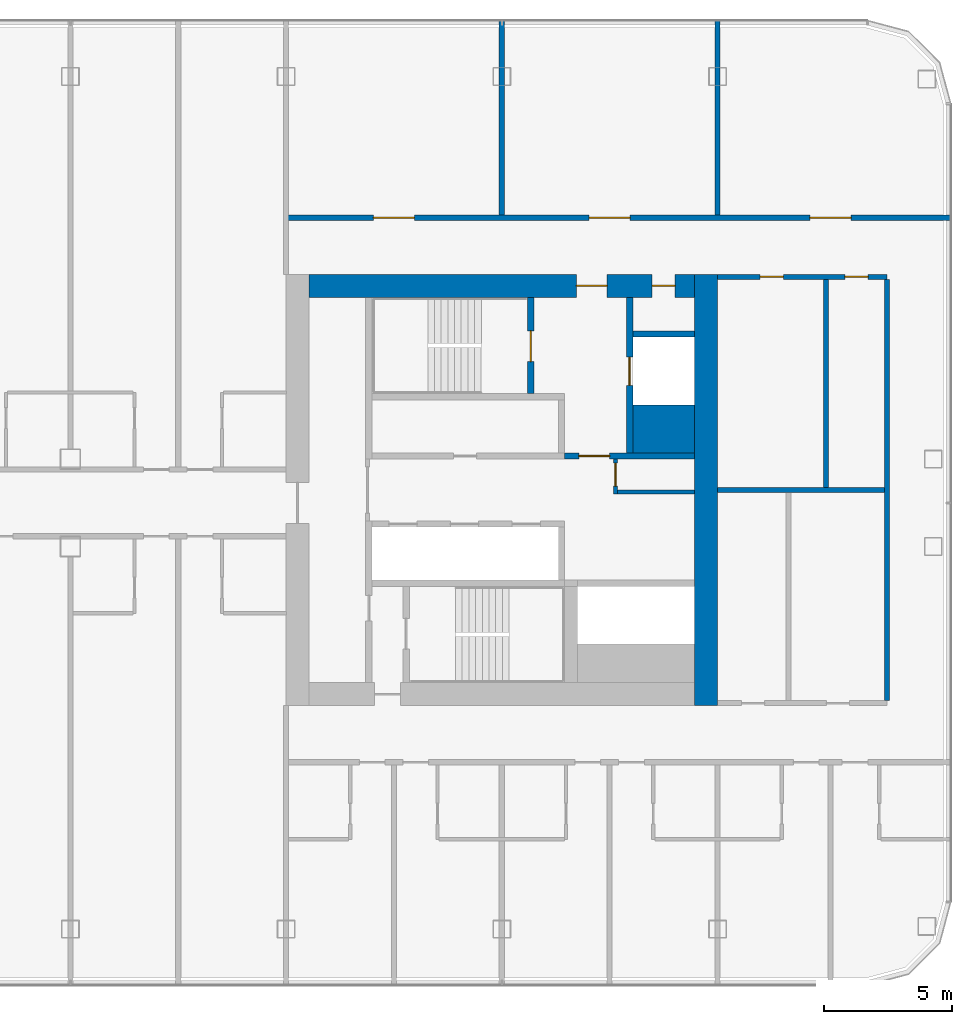
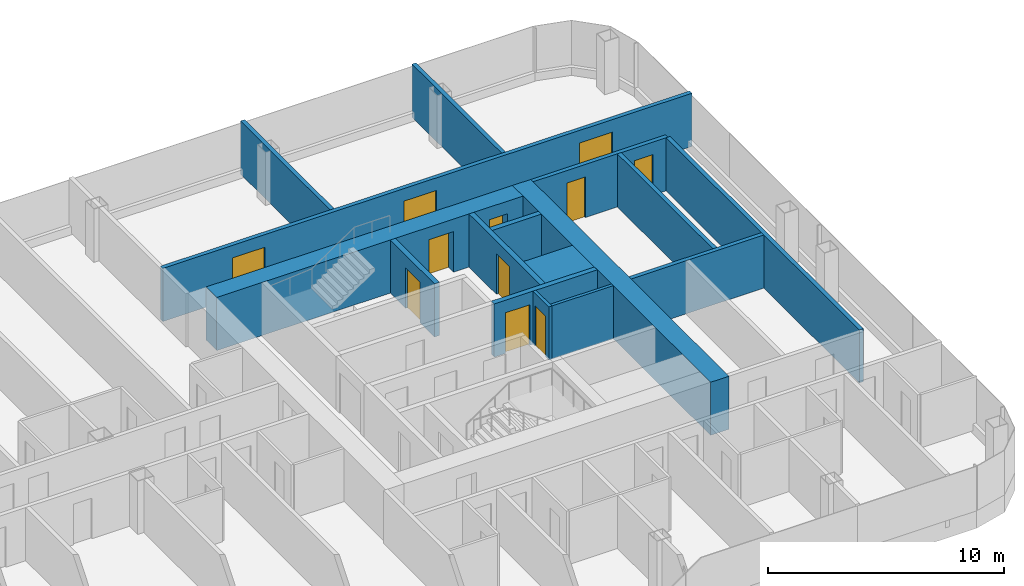
# One storey, part 18 of 27: 16 walls, 11 doors, 11 openings.
"""IFC4 building model written with IfcOpenShell, lengths in metres."""

from ifc_helpers import new_model, si_unit, direction, frame, frame_2d, origin, place, context, subcontext, project, spatial, rectangle, extrude, material, layer, layer_set, type_object, element, fill, save


model = new_model("IFC4")

# Units and contexts
model_context = context("Model", 3, precision=1e-05, world=origin(), true_north=direction((0.0, 1.0)))
body_context = subcontext(model_context, "Body", "Model", "MODEL_VIEW")
ifc_project = project(units=[si_unit("LENGTHUNIT", "METRE"), si_unit("AREAUNIT", "SQUARE_METRE"), si_unit("VOLUMEUNIT", "CUBIC_METRE"), si_unit("PLANEANGLEUNIT", "RADIAN"), si_unit("MASSUNIT", "GRAM", prefix="KILO")], contexts=[model_context])

# Site, building, storey
site_placement = place(None, origin())
site = spatial("IfcSite", under=ifc_project, at=site_placement, CompositionType="ELEMENT")
building_placement = place(site_placement, origin())
building = spatial("IfcBuilding", under=site, at=building_placement, Name="Hakoniwa Tower and Hamabe Station Hall", CompositionType="ELEMENT")
storey_placement = place(building_placement, frame((0.0, 0.0, 166.199951171875)))
storey = spatial("IfcBuildingStorey", under=building, at=storey_placement, Name="L47", CompositionType="ELEMENT", Elevation=166.199951171875)

# Wall, opening, door
ifc_material_1 = material(Name="Gypsum board partition")
ifc_layer_1 = layer(ifc_material_1, 0.14990234375)
ifc_layer_set_1 = layer_set([ifc_layer_1], Name="CORE PARTITION 150 EI 60")
wall_type_1 = type_object("IfcWallType", Name="CORE PARTITION 150 EI 60", PredefinedType="PARTITIONING", material=ifc_layer_set_1)
wall_1_placement = place(storey_placement, frame((29.625, -0.14990234375, 0.0), z_axis=(0.0, 0.0, 1.0), x_axis=(0.0, 1.0, 0.0)))
wall_1 = element("IfcWall", 1, at=wall_1_placement, inside=storey, type_object=wall_type_1, Name="Core partition PW0 east", PredefinedType="PARTITIONING", context=body_context, shape_type="SweptSolid", body=[
    extrude(rectangle(XDim=1.349853515625, YDim=0.14990234375, at=frame_2d((0.6748046875, 0.0))), origin(), (0.0, 0.0, 1.0), 2.75),
])
opening_1_placement = place(wall_1_placement, frame((0.300048828125, 0.0, 0.0)))
opening_1 = element("IfcOpeningElement", 2, at=opening_1_placement, cuts=wall_1, Name="Opening CD-E-RM1-9", PredefinedType="OPENING", context=body_context, shape_type="SweptSolid", body=[
    extrude(rectangle(XDim=0.89990234375, YDim=2.10009765625, at=frame_2d((0.449951171875, 1.050048828125))), frame((0.0, 0.0849609375, 0.0), z_axis=(0.0, -1.0, 0.0), x_axis=(1.0, 0.0, 0.0)), (0.0, 0.0, 1.0), 0.169921875),
])
ifc_material_2 = material(Name="Steel fire door", Category="steel")
door_type_1 = type_object("IfcDoorType", Name="CORE DOOR 900 FD30", OperationType="NOTDEFINED", PredefinedType="DOOR", material=ifc_material_2)
door_1_placement = place(opening_1_placement, origin())
door_1 = element("IfcDoor", 3, at=door_1_placement, inside=storey, type_object=door_type_1, Name="Store room door", OperationType="SINGLE_SWING_RIGHT", OverallHeight=2.10009765625, OverallWidth=0.89990234375, PredefinedType="DOOR", context=body_context, shape_type="SweptSolid", body=[
    extrude(rectangle(XDim=0.89990234375, YDim=2.10009765625, at=frame_2d((0.449951171875, 1.050048828125))), frame((0.0, 0.02490234375, 0.0), z_axis=(0.0, -1.0, 0.0), x_axis=(1.0, 0.0, 0.0)), (0.0, 0.0, 1.0), 0.050048828125),
])
fill(opening_1, door_1)

# Walls
wall_2_placement = place(storey_placement, frame((29.699951171875, -0.074951171875, 0.0), z_axis=(0.0, 0.0, 1.0), x_axis=(1.0, 0.0, 0.0)))
element("IfcWall", 4, at=wall_2_placement, inside=storey, type_object=wall_type_1, Name="Core partition PS east", PredefinedType="PARTITIONING", context=body_context, shape_type="SweptSolid", body=[
    extrude(rectangle(XDim=3.0, YDim=0.14990234375, at=frame_2d((1.5, 0.0))), origin(), (0.0, 0.0, 1.0), 2.75),
])
ifc_material_3 = material(Name="Concrete C66", Category="concrete")
ifc_layer_2 = layer(ifc_material_3, 0.89990234375)
ifc_layer_set_2 = layer_set([ifc_layer_2], Name="CORE WALL 900 C66")
wall_type_2 = type_object("IfcWallType", Name="CORE WALL 900 C66", PredefinedType="SHEAR", material=ifc_layer_set_2)
wall_3_placement = place(storey_placement, frame((33.14990234375, -8.39990234375, 0.0), z_axis=(0.0, 0.0, 1.0), x_axis=(0.0, 1.0, 0.0)))
element("IfcWall", 5, at=wall_3_placement, inside=storey, type_object=wall_type_2, Name="Core wall OUTER east", PredefinedType="SHEAR", context=body_context, shape_type="SweptSolid", body=[
    extrude(rectangle(XDim=16.7998046875, YDim=0.89990234375, at=frame_2d((8.39990234375, 0.0))), origin(), (0.0, 0.0, 1.0), 2.75),
])

# Wall, openings, doors
wall_4_placement = place(storey_placement, frame((17.699951171875, 7.949951171875, 0.0), z_axis=(0.0, 0.0, 1.0), x_axis=(1.0, 0.0, 0.0)))
wall_4 = element("IfcWall", 6, at=wall_4_placement, inside=storey, type_object=wall_type_2, Name="Core wall NORTH east", PredefinedType="SHEAR", context=body_context, shape_type="SweptSolid", body=[
    extrude(rectangle(XDim=15.0, YDim=0.89990234375, at=frame_2d((7.5, 0.0))), origin(), (0.0, 0.0, 1.0), 2.75),
])
opening_2_placement = place(wall_4_placement, frame((10.39990234375, 0.0, 0.0)))
opening_2 = element("IfcOpeningElement", 7, at=opening_2_placement, cuts=wall_4, Name="Opening CD-E-FN1-12", PredefinedType="OPENING", context=body_context, shape_type="SweptSolid", body=[
    extrude(rectangle(XDim=1.199951171875, YDim=2.10009765625, at=frame_2d((0.60009765625, 1.050048828125))), frame((0.0, 0.4599609375, 0.0), z_axis=(0.0, -1.0, 0.0), x_axis=(1.0, 0.0, 0.0)), (0.0, 0.0, 1.0), 0.919921875),
])
opening_3_placement = place(wall_4_placement, frame((13.35009765625, 0.0, 0.0)))
opening_3 = element("IfcOpeningElement", 8, at=opening_3_placement, cuts=wall_4, Name="Opening CD-E-FN2-9", PredefinedType="OPENING", context=body_context, shape_type="SweptSolid", body=[
    extrude(rectangle(XDim=0.89990234375, YDim=2.10009765625, at=frame_2d((0.449951171875, 1.050048828125))), frame((0.0, 0.4599609375, 0.0), z_axis=(0.0, -1.0, 0.0), x_axis=(1.0, 0.0, 0.0)), (0.0, 0.0, 1.0), 0.919921875),
])
ifc_material_4 = material(Name="Steel fire door", Category="steel")
door_type_2 = type_object("IfcDoorType", Name="CORE DOOR 1200 FD60", OperationType="DOUBLE_DOOR_SINGLE_SWING", PredefinedType="DOOR", material=ifc_material_4)
door_2_placement = place(opening_2_placement, origin())
door_2 = element("IfcDoor", 9, at=door_2_placement, inside=storey, type_object=door_type_2, Name="Stair vestibule door to the fire-fighting lobby", OperationType="DOUBLE_DOOR_SINGLE_SWING", OverallHeight=2.10009765625, OverallWidth=1.199951171875, PredefinedType="DOOR", context=body_context, shape_type="SweptSolid", body=[
    extrude(rectangle(XDim=1.199951171875, YDim=2.10009765625, at=frame_2d((0.60009765625, 1.050048828125))), frame((0.0, 0.02490234375, 0.0), z_axis=(0.0, -1.0, 0.0), x_axis=(1.0, 0.0, 0.0)), (0.0, 0.0, 1.0), 0.050048828125),
])
fill(opening_2, door_2)
door_3_placement = place(opening_3_placement, origin())
door_3 = element("IfcDoor", 10, at=door_3_placement, inside=storey, type_object=door_type_1, Name="Riser access door", OperationType="SINGLE_SWING_LEFT", OverallHeight=2.10009765625, OverallWidth=0.89990234375, PredefinedType="DOOR", context=body_context, shape_type="SweptSolid", body=[
    extrude(rectangle(XDim=0.89990234375, YDim=2.10009765625, at=frame_2d((0.449951171875, 1.050048828125))), frame((0.0, 0.02490234375, 0.0), z_axis=(0.0, -1.0, 0.0), x_axis=(1.0, 0.0, 0.0)), (0.0, 0.0, 1.0), 0.050048828125),
])
fill(opening_3, door_3)

# Wall
ifc_material_5 = material(Name="Concrete C66", Category="concrete")
ifc_layer_3 = layer(ifc_material_5, 1.85009765625)
ifc_layer_set_3 = layer_set([ifc_layer_3], Name="CORE WEB WALL 1850 C66")
wall_type_3 = type_object("IfcWallType", Name="CORE WEB WALL 1850 C66", PredefinedType="SHEAR", material=ifc_layer_set_3)
wall_5_placement = place(storey_placement, frame((30.300048828125, 2.375, 0.0), z_axis=(0.0, 0.0, 1.0), x_axis=(1.0, 0.0, 0.0)))
element("IfcWall", 11, at=wall_5_placement, inside=storey, type_object=wall_type_3, Name="Core wall CA east", PredefinedType="SHEAR", context=body_context, shape_type="SweptSolid", body=[
    extrude(rectangle(XDim=2.39990234375, YDim=1.85009765625, at=frame_2d((1.199951171875, 0.0))), origin(), (0.0, 0.0, 1.0), 2.75),
])

# Wall, opening, door
ifc_material_6 = material(Name="Concrete C66", Category="concrete")
ifc_layer_4 = layer(ifc_material_6, 0.25)
ifc_layer_set_4 = layer_set([ifc_layer_4], Name="CORE WEB WALL 250 C66")
wall_type_4 = type_object("IfcWallType", Name="CORE WEB WALL 250 C66", PredefinedType="SHEAR", material=ifc_layer_set_4)
wall_6_placement = place(storey_placement, frame((26.324951171875, 3.75, 0.0), z_axis=(0.0, 0.0, 1.0), x_axis=(0.0, 1.0, 0.0)))
wall_6 = element("IfcWall", 12, at=wall_6_placement, inside=storey, type_object=wall_type_4, Name="Core wall NSE east", PredefinedType="SHEAR", context=body_context, shape_type="SweptSolid", body=[
    extrude(rectangle(XDim=3.75, YDim=0.25, at=frame_2d((1.875, 0.0))), origin(), (0.0, 0.0, 1.0), 2.75),
])
opening_4_placement = place(wall_6_placement, frame((1.25, 0.0, 0.0)))
opening_4 = element("IfcOpeningElement", 13, at=opening_4_placement, cuts=wall_6, Name="Opening CD-E-SN-12", PredefinedType="OPENING", context=body_context, shape_type="SweptSolid", body=[
    extrude(rectangle(XDim=1.199951171875, YDim=2.10009765625, at=frame_2d((0.60009765625, 1.050048828125))), frame((0.0, 0.135009765625, 0.0), z_axis=(0.0, -1.0, 0.0), x_axis=(1.0, 0.0, 0.0)), (0.0, 0.0, 1.0), 0.27001953125),
])
door_4_placement = place(opening_4_placement, origin())
door_4 = element("IfcDoor", 14, at=door_4_placement, inside=storey, type_object=door_type_2, Name="Escape stair door", OperationType="DOUBLE_DOOR_SINGLE_SWING", OverallHeight=2.10009765625, OverallWidth=1.199951171875, PredefinedType="DOOR", context=body_context, shape_type="SweptSolid", body=[
    extrude(rectangle(XDim=1.199951171875, YDim=2.10009765625, at=frame_2d((0.60009765625, 1.050048828125))), frame((0.0, 0.02490234375, 0.0), z_axis=(0.0, -1.0, 0.0), x_axis=(1.0, 0.0, 0.0)), (0.0, 0.0, 1.0), 0.050048828125),
])
fill(opening_4, door_4)

wall_7_placement = place(storey_placement, frame((27.64990234375, 1.324951171875, 0.0), z_axis=(0.0, 0.0, 1.0), x_axis=(1.0, 0.0, 0.0)))
wall_7 = element("IfcWall", 15, at=wall_7_placement, inside=storey, type_object=wall_type_4, Name="Core wall ELN east", PredefinedType="SHEAR", context=body_context, shape_type="SweptSolid", body=[
    extrude(rectangle(XDim=5.050048828125, YDim=0.25, at=frame_2d((2.52490234375, 0.0))), origin(), (0.0, 0.0, 1.0), 2.75),
])
opening_5_placement = place(wall_7_placement, frame((0.550048828125, 0.0, 0.0)))
opening_5 = element("IfcOpeningElement", 16, at=opening_5_placement, cuts=wall_7, Name="Opening CD-E-FL-12", PredefinedType="OPENING", context=body_context, shape_type="SweptSolid", body=[
    extrude(rectangle(XDim=1.199951171875, YDim=2.10009765625, at=frame_2d((0.60009765625, 1.050048828125))), frame((0.0, 0.135009765625, 0.0), z_axis=(0.0, -1.0, 0.0), x_axis=(1.0, 0.0, 0.0)), (0.0, 0.0, 1.0), 0.27001953125),
])
door_5_placement = place(opening_5_placement, origin())
door_5 = element("IfcDoor", 17, at=door_5_placement, inside=storey, type_object=door_type_2, Name="Stair vestibule door to the fire-fighting lobby", OperationType="DOUBLE_DOOR_SINGLE_SWING", OverallHeight=2.10009765625, OverallWidth=1.199951171875, PredefinedType="DOOR", context=body_context, shape_type="SweptSolid", body=[
    extrude(rectangle(XDim=1.199951171875, YDim=2.10009765625, at=frame_2d((0.60009765625, 1.050048828125))), frame((0.0, 0.02490234375, 0.0), z_axis=(0.0, -1.0, 0.0), x_axis=(1.0, 0.0, 0.0)), (0.0, 0.0, 1.0), 0.050048828125),
])
fill(opening_5, door_5)

wall_8_placement = place(storey_placement, frame((30.175048828125, 1.449951171875, 0.0), z_axis=(0.0, 0.0, 1.0), x_axis=(0.0, 1.0, 0.0)))
wall_8 = element("IfcWall", 18, at=wall_8_placement, inside=storey, type_object=wall_type_4, Name="Core wall FFF east", PredefinedType="SHEAR", context=body_context, shape_type="SweptSolid", body=[
    extrude(rectangle(XDim=6.050048828125, YDim=0.25, at=frame_2d((3.02490234375, 0.0))), origin(), (0.0, 0.0, 1.0), 2.75),
])
opening_6_placement = place(wall_8_placement, frame((2.625, 0.0, 0.0)))
opening_6 = element("IfcOpeningElement", 19, at=opening_6_placement, cuts=wall_8, Name="Opening LD-FF2", PredefinedType="OPENING", context=body_context, shape_type="SweptSolid", body=[
    extrude(rectangle(XDim=1.10009765625, YDim=2.10009765625, at=frame_2d((0.550048828125, 1.050048828125))), frame((0.0, 0.135009765625, 0.0), z_axis=(0.0, -1.0, 0.0), x_axis=(1.0, 0.0, 0.0)), (0.0, 0.0, 1.0), 0.27001953125),
])
ifc_material_7 = material(Name="Stainless steel SUS304", Category="steel")
door_type_3 = type_object("IfcDoorType", Name="LIFT LANDING DOOR 1100 FD60", OperationType="DOUBLE_DOOR_SLIDING", PredefinedType="DOOR", material=ifc_material_7)
door_6_placement = place(opening_6_placement, origin())
door_6 = element("IfcDoor", 20, at=door_6_placement, inside=storey, type_object=door_type_3, Name="Lift landing door FF2 L47", OperationType="DOUBLE_DOOR_SLIDING", OverallHeight=2.10009765625, OverallWidth=1.10009765625, PredefinedType="DOOR", context=body_context, shape_type="SweptSolid", body=[
    extrude(rectangle(XDim=1.10009765625, YDim=2.10009765625, at=frame_2d((0.550048828125, 1.050048828125))), frame((0.0, 0.02490234375, 0.0), z_axis=(0.0, -1.0, 0.0), x_axis=(1.0, 0.0, 0.0)), (0.0, 0.0, 1.0), 0.050048828125),
])
fill(opening_6, door_6)

# Wall
wall_9_placement = place(storey_placement, frame((30.300048828125, 6.074951171875, 0.0), z_axis=(0.0, 0.0, 1.0), x_axis=(1.0, 0.0, 0.0)))
element("IfcWall", 21, at=wall_9_placement, inside=storey, type_object=wall_type_4, Name="Core wall C2 east", PredefinedType="SHEAR", context=body_context, shape_type="SweptSolid", body=[
    extrude(rectangle(XDim=2.39990234375, YDim=0.25, at=frame_2d((1.199951171875, 0.0))), origin(), (0.0, 0.0, 1.0), 2.75),
])

# Wall, openings, doors
ifc_material_8 = material(Name="Fire-rated gypsum board partition", Category="gypsum")
ifc_layer_5 = layer(ifc_material_8, 0.199951171875)
ifc_layer_set_5 = layer_set([ifc_layer_5], Name="Corridor Wall 200")
wall_type_5 = type_object("IfcWallType", Name="Corridor Wall 200", PredefinedType="PARTITIONING", material=ifc_layer_set_5)
wall_10_placement = place(storey_placement, frame((33.60009765625, 8.300048828125, 0.0), z_axis=(0.0, 0.0, 1.0), x_axis=(1.0, 0.0, 0.0)))
wall_10 = element("IfcWall", 22, at=wall_10_placement, inside=storey, type_object=wall_type_5, Name="GW-L47-028", PredefinedType="PARTITIONING", context=body_context, shape_type="SweptSolid", body=[
    extrude(rectangle(XDim=6.599853515625, YDim=0.199951171875, at=frame_2d((3.2998046875, 0.0))), origin(), (0.0, 0.0, 1.0), 2.75),
])
opening_7_placement = place(wall_10_placement, frame((1.659912109375, 0.0, 0.0)))
opening_7 = element("IfcOpeningElement", 23, at=opening_7_placement, cuts=wall_10, Name="Opening GD-G3B2-35", PredefinedType="OPENING", context=body_context, shape_type="SweptSolid", body=[
    extrude(rectangle(XDim=0.89990234375, YDim=2.10009765625, at=frame_2d((0.449951171875, 1.050048828125))), frame((0.0, 0.10986328125, 0.0), z_axis=(0.0, -1.0, 0.0), x_axis=(1.0, 0.0, 0.0)), (0.0, 0.0, 1.0), 0.219970703125),
])
opening_8_placement = place(wall_10_placement, frame((4.9599609375, 0.0, 0.0)))
opening_8 = element("IfcOpeningElement", 24, at=opening_8_placement, cuts=wall_10, Name="Opening GD-G3B2-36", PredefinedType="OPENING", context=body_context, shape_type="SweptSolid", body=[
    extrude(rectangle(XDim=0.89990234375, YDim=2.10009765625, at=frame_2d((0.449951171875, 1.050048828125))), frame((0.0, 0.10986328125, 0.0), z_axis=(0.0, -1.0, 0.0), x_axis=(1.0, 0.0, 0.0)), (0.0, 0.0, 1.0), 0.219970703125),
])
ifc_material_9 = material(Name="Timber door leaf", Category="wood")
door_type_4 = type_object("IfcDoorType", Name="Service Door 900", OperationType="SINGLE_SWING_LEFT", PredefinedType="DOOR", material=ifc_material_9)
door_7_placement = place(opening_7_placement, origin())
door_7 = element("IfcDoor", 25, at=door_7_placement, inside=storey, type_object=door_type_4, Name="Door GD-G3B2-35", OperationType="SINGLE_SWING_RIGHT", OverallHeight=2.10009765625, OverallWidth=0.89990234375, PredefinedType="DOOR", context=body_context, shape_type="SweptSolid", body=[
    extrude(rectangle(XDim=0.89990234375, YDim=2.10009765625, at=frame_2d((0.449951171875, 1.050048828125))), frame((0.0, 0.02490234375, 0.0), z_axis=(0.0, -1.0, 0.0), x_axis=(1.0, 0.0, 0.0)), (0.0, 0.0, 1.0), 0.050048828125),
])
fill(opening_7, door_7)
door_8_placement = place(opening_8_placement, origin())
door_8 = element("IfcDoor", 26, at=door_8_placement, inside=storey, type_object=door_type_4, Name="Door GD-G3B2-36", OperationType="SINGLE_SWING_LEFT", OverallHeight=2.10009765625, OverallWidth=0.89990234375, PredefinedType="DOOR", context=body_context, shape_type="SweptSolid", body=[
    extrude(rectangle(XDim=0.89990234375, YDim=2.10009765625, at=frame_2d((0.449951171875, 1.050048828125))), frame((0.0, 0.02490234375, 0.0), z_axis=(0.0, -1.0, 0.0), x_axis=(1.0, 0.0, 0.0)), (0.0, 0.0, 1.0), 0.050048828125),
])
fill(opening_8, door_8)

wall_11_placement = place(storey_placement, frame((16.800048828125, 10.60009765625, 0.0), z_axis=(0.0, 0.0, 1.0), x_axis=(1.0, 0.0, 0.0)))
wall_11 = element("IfcWall", 27, at=wall_11_placement, inside=storey, type_object=wall_type_5, Name="GW-L47-030", PredefinedType="PARTITIONING", context=body_context, shape_type="SweptSolid", body=[
    extrude(rectangle(XDim=25.89990234375, YDim=0.199951171875, at=frame_2d((12.949951171875, 0.0))), origin(), (0.0, 0.0, 1.0), 2.75),
])
opening_9_placement = place(wall_11_placement, frame((3.39990234375, 0.0, 0.0)))
opening_9 = element("IfcOpeningElement", 28, at=opening_9_placement, cuts=wall_11, Name="Opening GD-G3B2-43", PredefinedType="OPENING", context=body_context, shape_type="SweptSolid", body=[
    extrude(rectangle(XDim=1.60009765625, YDim=2.10009765625, at=frame_2d((0.800048828125, 1.050048828125))), frame((0.0, 0.10986328125, 0.0), z_axis=(0.0, -1.0, 0.0), x_axis=(1.0, 0.0, 0.0)), (0.0, 0.0, 1.0), 0.219970703125),
])
opening_10_placement = place(wall_11_placement, frame((11.800048828125, 0.0, 0.0)))
opening_10 = element("IfcOpeningElement", 29, at=opening_10_placement, cuts=wall_11, Name="Opening GD-G3B2-44", PredefinedType="OPENING", context=body_context, shape_type="SweptSolid", body=[
    extrude(rectangle(XDim=1.60009765625, YDim=2.10009765625, at=frame_2d((0.800048828125, 1.050048828125))), frame((0.0, 0.10986328125, 0.0), z_axis=(0.0, -1.0, 0.0), x_axis=(1.0, 0.0, 0.0)), (0.0, 0.0, 1.0), 0.219970703125),
])
opening_11_placement = place(wall_11_placement, frame((20.39990234375, 0.0, 0.0)))
opening_11 = element("IfcOpeningElement", 30, at=opening_11_placement, cuts=wall_11, Name="Opening GD-G3B2-45", PredefinedType="OPENING", context=body_context, shape_type="SweptSolid", body=[
    extrude(rectangle(XDim=1.60009765625, YDim=2.10009765625, at=frame_2d((0.800048828125, 1.050048828125))), frame((0.0, 0.10986328125, 0.0), z_axis=(0.0, -1.0, 0.0), x_axis=(1.0, 0.0, 0.0)), (0.0, 0.0, 1.0), 0.219970703125),
])
ifc_material_10 = material(Name="Timber door leaf", Category="wood")
door_type_5 = type_object("IfcDoorType", Name="Double Door 1600", OperationType="DOUBLE_DOOR_SINGLE_SWING", PredefinedType="DOOR", material=ifc_material_10)
door_9_placement = place(opening_9_placement, origin())
door_9 = element("IfcDoor", 31, at=door_9_placement, inside=storey, type_object=door_type_5, Name="Door GD-G3B2-43", OperationType="DOUBLE_DOOR_SINGLE_SWING", OverallHeight=2.10009765625, OverallWidth=1.60009765625, PredefinedType="DOOR", context=body_context, shape_type="SweptSolid", body=[
    extrude(rectangle(XDim=1.60009765625, YDim=2.10009765625, at=frame_2d((0.800048828125, 1.050048828125))), frame((0.0, 0.02490234375, 0.0), z_axis=(0.0, -1.0, 0.0), x_axis=(1.0, 0.0, 0.0)), (0.0, 0.0, 1.0), 0.050048828125),
])
fill(opening_9, door_9)
door_10_placement = place(opening_10_placement, origin())
door_10 = element("IfcDoor", 32, at=door_10_placement, inside=storey, type_object=door_type_5, Name="Door GD-G3B2-44", OperationType="DOUBLE_DOOR_SINGLE_SWING", OverallHeight=2.10009765625, OverallWidth=1.60009765625, PredefinedType="DOOR", context=body_context, shape_type="SweptSolid", body=[
    extrude(rectangle(XDim=1.60009765625, YDim=2.10009765625, at=frame_2d((0.800048828125, 1.050048828125))), frame((0.0, 0.02490234375, 0.0), z_axis=(0.0, -1.0, 0.0), x_axis=(1.0, 0.0, 0.0)), (0.0, 0.0, 1.0), 0.050048828125),
])
fill(opening_10, door_10)
door_11_placement = place(opening_11_placement, origin())
door_11 = element("IfcDoor", 33, at=door_11_placement, inside=storey, type_object=door_type_5, Name="Door GD-G3B2-45", OperationType="DOUBLE_DOOR_SINGLE_SWING", OverallHeight=2.10009765625, OverallWidth=1.60009765625, PredefinedType="DOOR", context=body_context, shape_type="SweptSolid", body=[
    extrude(rectangle(XDim=1.60009765625, YDim=2.10009765625, at=frame_2d((0.800048828125, 1.050048828125))), frame((0.0, 0.02490234375, 0.0), z_axis=(0.0, -1.0, 0.0), x_axis=(1.0, 0.0, 0.0)), (0.0, 0.0, 1.0), 0.050048828125),
])
fill(opening_11, door_11)

# Walls
ifc_material_11 = material(Name="Fire-rated gypsum board partition", Category="gypsum")
ifc_layer_6 = layer(ifc_material_11, 0.199951171875)
ifc_layer_set_6 = layer_set([ifc_layer_6], Name="Party Wall 200")
wall_type_6 = type_object("IfcWallType", Name="Party Wall 200", PredefinedType="PARTITIONING", material=ifc_layer_set_6)
wall_12_placement = place(storey_placement, frame((33.60009765625, 0.0, 0.0), z_axis=(0.0, 0.0, 1.0), x_axis=(1.0, 0.0, 0.0)))
element("IfcWall", 34, at=wall_12_placement, inside=storey, type_object=wall_type_6, Name="GW-L47-020", PredefinedType="PARTITIONING", context=body_context, shape_type="SweptSolid", body=[
    extrude(rectangle(XDim=6.5, YDim=0.199951171875, at=frame_2d((3.25, 0.0))), origin(), (0.0, 0.0, 1.0), 2.75),
])
for number, where, z_axis, x_axis, name in (
    (35, (25.199951171875, 10.699951171875, 0.0), (0.0, 0.0, 1.0), (0.0, 1.0, 0.0), "GW-L47-094"),
    (36, (33.60009765625, 10.699951171875, 0.0), (0.0, 0.0, 1.0), (0.0, 1.0, 0.0), "GW-L47-099"),
):
    element("IfcWall", number, at=place(storey_placement, frame(where, z_axis=z_axis, x_axis=x_axis)), inside=storey, type_object=wall_type_6, Name=name, PredefinedType="PARTITIONING", context=body_context, shape_type="SweptSolid", body=[
        extrude(rectangle(XDim=7.60009765625, YDim=0.199951171875, at=frame_2d((3.800048828125, 0.0))), origin(), (0.0, 0.0, 1.0), 2.75),
    ])
wall_13_placement = place(storey_placement, frame((37.820068359375, 0.0, 0.0), z_axis=(0.0, 0.0, 1.0), x_axis=(0.0, 1.0, 0.0)))
element("IfcWall", 37, at=wall_13_placement, inside=storey, type_object=wall_type_6, Name="GW-L47-102", PredefinedType="PARTITIONING", context=body_context, shape_type="SweptSolid", body=[
    extrude(rectangle(XDim=8.199951171875, YDim=0.199951171875, at=frame_2d((4.10009765625, 0.0))), origin(), (0.0, 0.0, 1.0), 2.75),
])
wall_14_placement = place(storey_placement, frame((40.199951171875, -8.199951171875, 0.0), z_axis=(0.0, 0.0, 1.0), x_axis=(0.0, 1.0, 0.0)))
element("IfcWall", 38, at=wall_14_placement, inside=storey, type_object=wall_type_6, Name="GW-L47-105", PredefinedType="PARTITIONING", context=body_context, shape_type="SweptSolid", body=[
    extrude(rectangle(XDim=16.39990234375, YDim=0.199951171875, at=frame_2d((8.199951171875, 0.0))), origin(), (0.0, 0.0, 1.0), 2.75),
])

save(model, "model.ifc")
